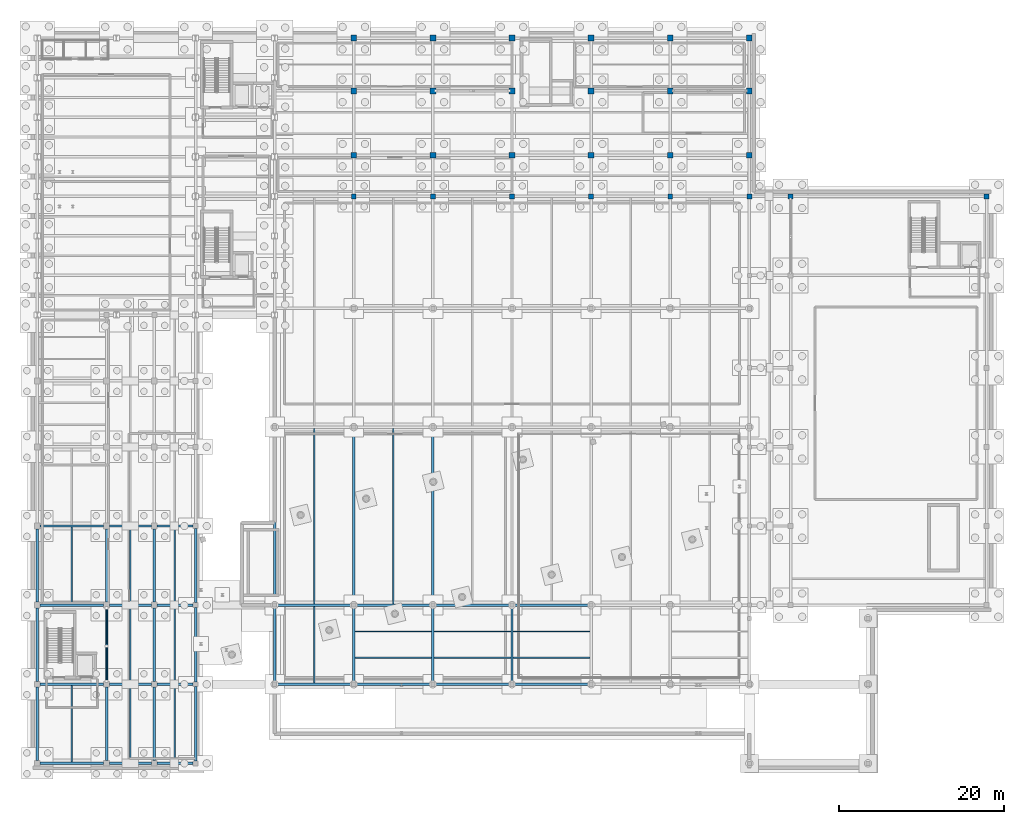
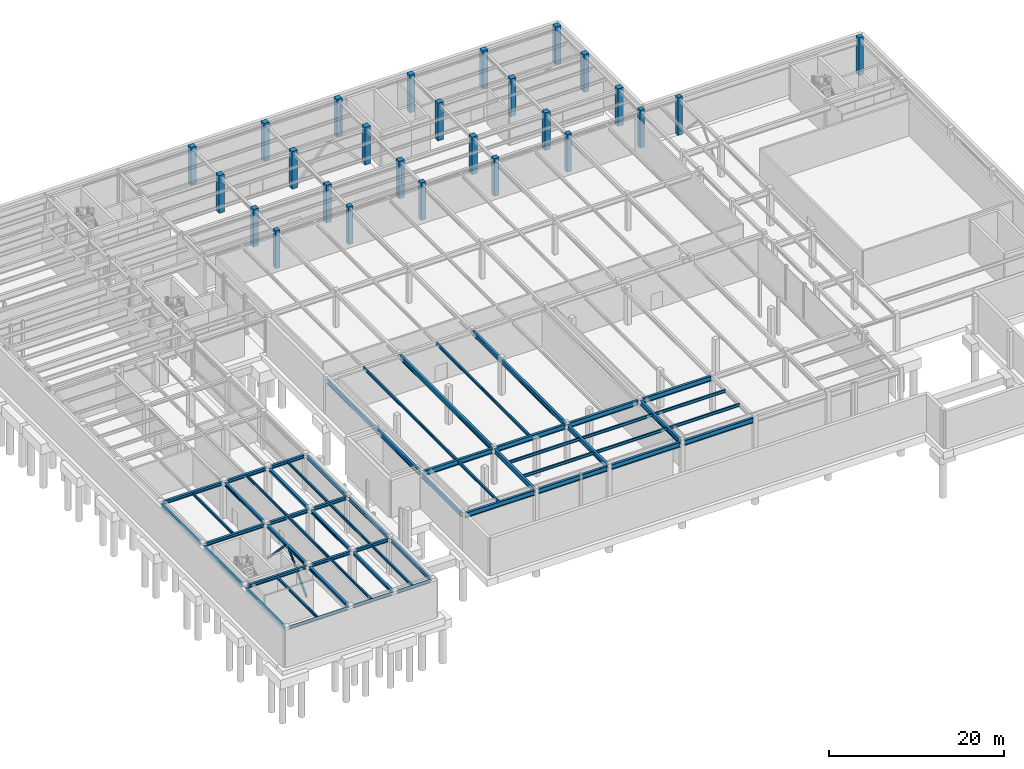
# One storey, part 15 of 33: 56 beams, 26 columns, 2 members.
"""IFC4 building model written with IfcOpenShell, lengths in metres."""

from ifc_helpers import new_model, si_unit, direction, frame, origin, origin_2d, place, context, subcontext, project, spatial, rectangle, hollow_circle, i_section, extrude, material, material_profile, profile_set, type_object, element, save


model = new_model("IFC4")

# Units and contexts
model_context = context("Model", 3, precision=1e-05, world=origin(), true_north=direction((0.0, 1.0)))
body_context = subcontext(model_context, "Body", "Model", "MODEL_VIEW")
ifc_project = project(units=[si_unit("LENGTHUNIT", "METRE"), si_unit("AREAUNIT", "SQUARE_METRE"), si_unit("VOLUMEUNIT", "CUBIC_METRE"), si_unit("PLANEANGLEUNIT", "RADIAN"), si_unit("MASSUNIT", "GRAM", prefix="KILO")], contexts=[model_context])

# Site, building, storey
site_placement = place(None, origin())
site = spatial("IfcSite", under=ifc_project, at=site_placement, CompositionType="ELEMENT")
building_placement = place(site_placement, origin())
building = spatial("IfcBuilding", under=site, at=building_placement, Name="Nordkorset Police Headquarters", CompositionType="ELEMENT")
storey_placement = place(building_placement, frame((0.0, 0.0, -9.800048828125)))
storey = spatial("IfcBuildingStorey", under=building, at=storey_placement, Name="B02", CompositionType="ELEMENT", Elevation=-9.800048828125)

# Columns
ifc_material_1 = material(Name="Concrete C45/55", Category="concrete")
ifc_material_profile_1 = material_profile(ifc_material_1, rectangle(XDim=0.60009765625, YDim=0.60009765625, at=origin_2d()), Name="RC 600x600")
ifc_profile_set_1 = profile_set([ifc_material_profile_1], Name="Concrete C45/55")
column_type_1 = type_object("IfcColumnType", Name="Col_RC_600x600", PredefinedType="COLUMN", material=ifc_profile_set_1)
for number, where, z_axis, x_axis, name in (
    (1, (38.39990234375, 97.60009765625, 0.0), (0.0, 0.0, 1.0), (1.0, 0.0, 0.0), "Structural Column V2_Y0_0 B02"),
    (2, (48.0, 97.60009765625, 0.0), (0.0, 0.0, 1.0), (1.0, 0.0, 0.0), "Structural Column V2_Y0_1 B02"),
    (3, (57.60009765625, 97.60009765625, 0.0), (0.0, 0.0, 1.0), (1.0, 0.0, 0.0), "Structural Column V2_Y0_2 B02"),
    (4, (67.199951171875, 97.60009765625, 0.0), (0.0, 0.0, 1.0), (1.0, 0.0, 0.0), "Structural Column V2_Y0_3 B02"),
    (5, (76.800048828125, 97.60009765625, 0.0), (0.0, 0.0, 1.0), (1.0, 0.0, 0.0), "Structural Column V2_Y0_4 B02"),
    (6, (86.39990234375, 97.60009765625, 0.0), (0.0, 0.0, 1.0), (1.0, 0.0, 0.0), "Structural Column V2_Y0_5 B02"),
    (7, (91.39990234375, 97.60009765625, 0.0), (0.0, 0.0, 1.0), (1.0, 0.0, 0.0), "Structural Column V5_X1_5 B02"),
    (8, (115.199951171875, 97.60009765625, 0.0), (0.0, 0.0, 1.0), (1.0, 0.0, 0.0), "Structural Column V5_X2_5 B02"),
):
    element("IfcColumn", number, at=place(storey_placement, frame(where, z_axis=z_axis, x_axis=x_axis)), inside=storey, type_object=column_type_1, Name=name, PredefinedType="COLUMN", context=body_context, shape_type="SweptSolid", body=[
        extrude(rectangle(XDim=0.60009765625, YDim=0.60009765625, at=origin_2d()), origin(), (0.0, 0.0, 1.0), 5.25),
    ])
ifc_material_2 = material(Name="Concrete C45/55", Category="concrete")
ifc_material_profile_2 = material_profile(ifc_material_2, rectangle(XDim=0.699951171875, YDim=0.699951171875, at=origin_2d()), Name="RC 700x700")
ifc_profile_set_2 = profile_set([ifc_material_profile_2], Name="Concrete C45/55")
column_type_2 = type_object("IfcColumnType", Name="Col_RC_700x700", PredefinedType="COLUMN", material=ifc_profile_set_2)
for number, where, z_axis, x_axis, name in (
    (9, (38.39990234375, 102.60009765625, 0.0), (0.0, 0.0, 1.0), (1.0, 0.0, 0.0), "Structural Column V2_Y1_0 B02"),
    (10, (38.39990234375, 110.39990234375, 0.0), (0.0, 0.0, 1.0), (1.0, 0.0, 0.0), "Structural Column V2_Y2_0 B02"),
    (11, (38.39990234375, 116.800048828125, 0.0), (0.0, 0.0, 1.0), (1.0, 0.0, 0.0), "Structural Column V2_Y3_0 B02"),
    (12, (48.0, 102.60009765625, 0.0), (0.0, 0.0, 1.0), (1.0, 0.0, 0.0), "Structural Column V2_Y1_1 B02"),
    (13, (48.0, 110.39990234375, 0.0), (0.0, 0.0, 1.0), (1.0, 0.0, 0.0), "Structural Column V2_Y2_1 B02"),
    (14, (48.0, 116.800048828125, 0.0), (0.0, 0.0, 1.0), (1.0, 0.0, 0.0), "Structural Column V2_Y3_1 B02"),
    (15, (57.60009765625, 102.60009765625, 0.0), (0.0, 0.0, 1.0), (1.0, 0.0, 0.0), "Structural Column V2_Y1_2 B02"),
    (16, (57.60009765625, 110.39990234375, 0.0), (0.0, 0.0, 1.0), (1.0, 0.0, 0.0), "Structural Column V2_Y2_2 B02"),
    (17, (57.60009765625, 116.800048828125, 0.0), (0.0, 0.0, 1.0), (1.0, 0.0, 0.0), "Structural Column V2_Y3_2 B02"),
    (18, (67.199951171875, 102.60009765625, 0.0), (0.0, 0.0, 1.0), (1.0, 0.0, 0.0), "Structural Column V2_Y1_3 B02"),
    (19, (67.199951171875, 110.39990234375, 0.0), (0.0, 0.0, 1.0), (1.0, 0.0, 0.0), "Structural Column V2_Y2_3 B02"),
    (20, (67.199951171875, 116.800048828125, 0.0), (0.0, 0.0, 1.0), (1.0, 0.0, 0.0), "Structural Column V2_Y3_3 B02"),
    (21, (76.800048828125, 102.60009765625, 0.0), (0.0, 0.0, 1.0), (1.0, 0.0, 0.0), "Structural Column V2_Y1_4 B02"),
    (22, (76.800048828125, 110.39990234375, 0.0), (0.0, 0.0, 1.0), (1.0, 0.0, 0.0), "Structural Column V2_Y2_4 B02"),
    (23, (76.800048828125, 116.800048828125, 0.0), (0.0, 0.0, 1.0), (1.0, 0.0, 0.0), "Structural Column V2_Y3_4 B02"),
    (24, (86.39990234375, 102.60009765625, 0.0), (0.0, 0.0, 1.0), (1.0, 0.0, 0.0), "Structural Column V2_Y1_5 B02"),
    (25, (86.39990234375, 110.39990234375, 0.0), (0.0, 0.0, 1.0), (1.0, 0.0, 0.0), "Structural Column V2_Y2_5 B02"),
    (26, (86.39990234375, 116.800048828125, 0.0), (0.0, 0.0, 1.0), (1.0, 0.0, 0.0), "Structural Column V2_Y3_5 B02"),
):
    element("IfcColumn", number, at=place(storey_placement, frame(where, z_axis=z_axis, x_axis=x_axis)), inside=storey, type_object=column_type_2, Name=name, PredefinedType="COLUMN", context=body_context, shape_type="SweptSolid", body=[
        extrude(rectangle(XDim=0.699951171875, YDim=0.699951171875, at=origin_2d()), origin(), (0.0, 0.0, 1.0), 5.25),
    ])

# Beams
ifc_material_3 = material(Name="Steel S355J2", Category="steel")
ifc_material_profile_3 = material_profile(ifc_material_3, i_section(OverallWidth=0.169921875, OverallDepth=0.360107421875, WebThickness=0.008056640625, FlangeThickness=0.0126953125, FilletRadius=0.01806640625, at=origin_2d()), Name="IPE 360")
ifc_profile_set_3 = profile_set([ifc_material_profile_3], Name="Steel S355J2")
beam_type_1 = type_object("IfcBeamType", Name="Beam_IPE_360", PredefinedType="BEAM", material=ifc_profile_set_3)
for number, where, z_axis, x_axis, name in (
    (27, (4.199951171875, 28.949951171875, 4.7900390625), (0.0, 1.0, 0.0), (-1.0, 0.0, 0.0), "Composite Floor Beam V3 B02 0-0-1"),
    (28, (4.199951171875, 48.14990234375, 4.7900390625), (0.0, 1.0, 0.0), (-1.0, 0.0, 0.0), "Composite Floor Beam V3 B02 0-2-1"),
    (29, (11.300048828125, 28.949951171875, 4.7900390625), (0.0, 1.0, 0.0), (-1.0, 0.0, 0.0), "Composite Floor Beam V3 B02 1-0-1"),
    (30, (11.300048828125, 38.550048828125, 4.7900390625), (0.0, 1.0, 0.0), (-1.0, 0.0, 0.0), "Composite Floor Beam V3 B02 1-1-1"),
    (31, (11.300048828125, 48.14990234375, 4.7900390625), (0.0, 1.0, 0.0), (-1.0, 0.0, 0.0), "Composite Floor Beam V3 B02 1-2-1"),
    (32, (16.699951171875, 28.949951171875, 4.7900390625), (0.0, 1.0, 0.0), (-1.0, 0.0, 0.0), "Composite Floor Beam V3 B02 2-0-1"),
    (33, (16.699951171875, 38.550048828125, 4.7900390625), (0.0, 1.0, 0.0), (-1.0, 0.0, 0.0), "Composite Floor Beam V3 B02 2-1-1"),
    (34, (16.699951171875, 48.14990234375, 4.7900390625), (0.0, 1.0, 0.0), (-1.0, 0.0, 0.0), "Composite Floor Beam V3 B02 2-2-1"),
):
    element("IfcBeam", number, at=place(storey_placement, frame(where, z_axis=z_axis, x_axis=x_axis)), inside=storey, type_object=beam_type_1, Name=name, PredefinedType="BEAM", context=body_context, shape_type="SweptSolid", body=[
        extrude(i_section(OverallWidth=0.169921875, OverallDepth=0.360107421875, WebThickness=0.008056640625, FlangeThickness=0.0126953125, FilletRadius=0.01806640625, at=origin_2d()), origin(), (0.0, 0.0, 1.0), 9.300048828125),
    ])
ifc_material_4 = material(Name="Steel S355J2", Category="steel")
ifc_material_profile_4 = material_profile(ifc_material_4, i_section(OverallWidth=0.179931640625, OverallDepth=0.39990234375, WebThickness=0.008544921875, FlangeThickness=0.013427734375, FilletRadius=0.02099609375, at=origin_2d()), Name="IPE 400")
ifc_profile_set_4 = profile_set([ifc_material_profile_4], Name="Steel S355J2")
beam_type_2 = type_object("IfcBeamType", Name="Beam_IPE_400", PredefinedType="BEAM", material=ifc_profile_set_4)
beam_1_placement = place(storey_placement, frame((33.60009765625, 38.550048828125, 4.77001953125), z_axis=(0.0, 1.0, 0.0), x_axis=(-1.0, 0.0, 0.0)))
element("IfcBeam", 35, at=beam_1_placement, inside=storey, type_object=beam_type_2, Name="Composite Floor Beam SUB B02 0-0-1", PredefinedType="BEAM", context=body_context, shape_type="SweptSolid", body=[
    extrude(i_section(OverallWidth=0.179931640625, OverallDepth=0.39990234375, WebThickness=0.008544921875, FlangeThickness=0.013427734375, FilletRadius=0.02099609375, at=origin_2d()), origin(), (0.0, 0.0, 1.0), 9.300048828125),
])
beam_2_placement = place(storey_placement, frame((33.60009765625, 48.14990234375, 4.77001953125), z_axis=(0.0, 1.0, 0.0), x_axis=(-1.0, 0.0, 0.0)))
element("IfcBeam", 36, at=beam_2_placement, inside=storey, type_object=beam_type_2, Name="Composite Floor Beam SUB B02 0-1-1", PredefinedType="BEAM", context=body_context, shape_type="SweptSolid", body=[
    extrude(i_section(OverallWidth=0.179931640625, OverallDepth=0.39990234375, WebThickness=0.008544921875, FlangeThickness=0.013427734375, FilletRadius=0.02099609375, at=origin_2d()), origin(), (0.0, 0.0, 1.0), 21.300048828125),
])
for number, where, z_axis, x_axis, name in (
    (37, (38.550048828125, 41.60009765625, 4.77001953125), (1.0, 0.0, 0.0), (0.0, 1.0, 0.0), "Composite Floor Beam SUB B02 1-0-1"),
    (38, (38.550048828125, 44.800048828125, 4.77001953125), (1.0, 0.0, 0.0), (0.0, 1.0, 0.0), "Composite Floor Beam SUB B02 1-0-2"),
):
    element("IfcBeam", number, at=place(storey_placement, frame(where, z_axis=z_axis, x_axis=x_axis)), inside=storey, type_object=beam_type_2, Name=name, PredefinedType="BEAM", context=body_context, shape_type="SweptSolid", body=[
        extrude(i_section(OverallWidth=0.179931640625, OverallDepth=0.39990234375, WebThickness=0.008544921875, FlangeThickness=0.013427734375, FilletRadius=0.02099609375, at=origin_2d()), origin(), (0.0, 0.0, 1.0), 9.300048828125),
    ])
beam_3_placement = place(storey_placement, frame((43.199951171875, 48.14990234375, 4.77001953125), z_axis=(0.0, 1.0, 0.0), x_axis=(-1.0, 0.0, 0.0)))
element("IfcBeam", 39, at=beam_3_placement, inside=storey, type_object=beam_type_2, Name="Composite Floor Beam SUB B02 1-1-1", PredefinedType="BEAM", context=body_context, shape_type="SweptSolid", body=[
    extrude(i_section(OverallWidth=0.179931640625, OverallDepth=0.39990234375, WebThickness=0.008544921875, FlangeThickness=0.013427734375, FilletRadius=0.02099609375, at=origin_2d()), origin(), (0.0, 0.0, 1.0), 21.300048828125),
])
for number, where, z_axis, x_axis, name in (
    (40, (48.14990234375, 41.60009765625, 4.77001953125), (1.0, 0.0, 0.0), (0.0, 1.0, 0.0), "Composite Floor Beam SUB B02 2-0-1"),
    (41, (48.14990234375, 44.800048828125, 4.77001953125), (1.0, 0.0, 0.0), (0.0, 1.0, 0.0), "Composite Floor Beam SUB B02 2-0-2"),
    (42, (57.75, 41.60009765625, 4.77001953125), (1.0, 0.0, 0.0), (0.0, 1.0, 0.0), "Composite Floor Beam SUB B02 3-0-1"),
    (43, (57.75, 44.800048828125, 4.77001953125), (1.0, 0.0, 0.0), (0.0, 1.0, 0.0), "Composite Floor Beam SUB B02 3-0-2"),
):
    element("IfcBeam", number, at=place(storey_placement, frame(where, z_axis=z_axis, x_axis=x_axis)), inside=storey, type_object=beam_type_2, Name=name, PredefinedType="BEAM", context=body_context, shape_type="SweptSolid", body=[
        extrude(i_section(OverallWidth=0.179931640625, OverallDepth=0.39990234375, WebThickness=0.008544921875, FlangeThickness=0.013427734375, FilletRadius=0.02099609375, at=origin_2d()), origin(), (0.0, 0.0, 1.0), 9.300048828125),
    ])

# Members
ifc_material_5 = material(Name="Steel S355J2", Category="steel")
ifc_material_profile_5 = material_profile(ifc_material_5, hollow_circle(Radius=0.136474609375, WallThickness=0.012451171875, at=origin_2d()), Name="CHS 273x12.5")
ifc_profile_set_5 = profile_set([ifc_material_profile_5], Name="Steel S355J2")
member_type = type_object("IfcMemberType", Name="Brace_CHS_273x12.5", PredefinedType="BRACE", material=ifc_profile_set_5)
for number, where, z_axis, x_axis, name in (
    (44, (8.39990234375, 38.75, 0.199951171875), (0.0, 0.684311963758, 0.729189369271), (-1.0, 0.0, 0.0), "Lateral Chevron Brace BF-V3-A B02 D1"),
    (45, (8.39990234375, 47.64990234375, 0.199951171875), (0.0, -0.684311963758, 0.729189369271), (1.0, 0.0, 0.0), "Lateral Chevron Brace BF-V3-A B02 D2"),
):
    element("IfcMember", number, at=place(storey_placement, frame(where, z_axis=z_axis, x_axis=x_axis)), inside=storey, type_object=member_type, Name=name, PredefinedType="BRACE", context=body_context, shape_type="SweptSolid", body=[
        extrude(hollow_circle(Radius=0.136474609375, WallThickness=0.012451171875, at=origin_2d()), origin(), (0.0, 0.0, 1.0), 6.239990234375),
    ])

# Beams
ifc_material_6 = material(Name="Steel S355J2", Category="steel")
ifc_material_profile_6 = material_profile(ifc_material_6, i_section(OverallWidth=0.300048828125, OverallDepth=0.43994140625, WebThickness=0.011474609375, FlangeThickness=0.02099609375, FilletRadius=0.027099609375, at=origin_2d()), Name="HEA 450")
ifc_profile_set_6 = profile_set([ifc_material_profile_6], Name="Steel S355J2")
beam_type_3 = type_object("IfcBeamType", Name="Girder_HEA_450", PredefinedType="USERDEFINED", material=ifc_profile_set_6)
beam_4_placement = place(storey_placement, frame((0.35009765625, 38.39990234375, 4.75), z_axis=(1.0, 0.0, 0.0), x_axis=(0.0, 1.0, 0.0)))
element("IfcBeam", 46, at=beam_4_placement, inside=storey, type_object=beam_type_3, Name="Girder V3 B02 GX-1-0", ObjectType="GIRDER", PredefinedType="USERDEFINED", context=body_context, shape_type="SweptSolid", body=[
    extrude(i_section(OverallWidth=0.300048828125, OverallDepth=0.43994140625, WebThickness=0.011474609375, FlangeThickness=0.02099609375, FilletRadius=0.027099609375, at=origin_2d()), origin(), (0.0, 0.0, 1.0), 7.699951171875),
])
beam_5_placement = place(storey_placement, frame((8.75, 38.39990234375, 4.75), z_axis=(1.0, 0.0, 0.0), x_axis=(0.0, 1.0, 0.0)))
element("IfcBeam", 47, at=beam_5_placement, inside=storey, type_object=beam_type_3, Name="Girder V3 B02 GX-1-1", ObjectType="GIRDER", PredefinedType="USERDEFINED", context=body_context, shape_type="SweptSolid", body=[
    extrude(i_section(OverallWidth=0.300048828125, OverallDepth=0.43994140625, WebThickness=0.011474609375, FlangeThickness=0.02099609375, FilletRadius=0.027099609375, at=origin_2d()), origin(), (0.0, 0.0, 1.0), 5.10009765625),
])
beam_6_placement = place(storey_placement, frame((14.550048828125, 38.39990234375, 4.75), z_axis=(1.0, 0.0, 0.0), x_axis=(0.0, 1.0, 0.0)))
element("IfcBeam", 48, at=beam_6_placement, inside=storey, type_object=beam_type_3, Name="Girder V3 B02 GX-1-2", ObjectType="GIRDER", PredefinedType="USERDEFINED", context=body_context, shape_type="SweptSolid", body=[
    extrude(i_section(OverallWidth=0.300048828125, OverallDepth=0.43994140625, WebThickness=0.011474609375, FlangeThickness=0.02099609375, FilletRadius=0.027099609375, at=origin_2d()), origin(), (0.0, 0.0, 1.0), 4.349853515625),
])
beam_7_placement = place(storey_placement, frame((0.35009765625, 48.0, 4.75), z_axis=(1.0, 0.0, 0.0), x_axis=(0.0, 1.0, 0.0)))
element("IfcBeam", 49, at=beam_7_placement, inside=storey, type_object=beam_type_3, Name="Girder V3 B02 GX-2-0", ObjectType="GIRDER", PredefinedType="USERDEFINED", context=body_context, shape_type="SweptSolid", body=[
    extrude(i_section(OverallWidth=0.300048828125, OverallDepth=0.43994140625, WebThickness=0.011474609375, FlangeThickness=0.02099609375, FilletRadius=0.027099609375, at=origin_2d()), origin(), (0.0, 0.0, 1.0), 7.699951171875),
])
beam_8_placement = place(storey_placement, frame((8.75, 48.0, 4.75), z_axis=(1.0, 0.0, 0.0), x_axis=(0.0, 1.0, 0.0)))
element("IfcBeam", 50, at=beam_8_placement, inside=storey, type_object=beam_type_3, Name="Girder V3 B02 GX-2-1", ObjectType="GIRDER", PredefinedType="USERDEFINED", context=body_context, shape_type="SweptSolid", body=[
    extrude(i_section(OverallWidth=0.300048828125, OverallDepth=0.43994140625, WebThickness=0.011474609375, FlangeThickness=0.02099609375, FilletRadius=0.027099609375, at=origin_2d()), origin(), (0.0, 0.0, 1.0), 5.10009765625),
])
beam_9_placement = place(storey_placement, frame((14.550048828125, 48.0, 4.75), z_axis=(1.0, 0.0, 0.0), x_axis=(0.0, 1.0, 0.0)))
element("IfcBeam", 51, at=beam_9_placement, inside=storey, type_object=beam_type_3, Name="Girder V3 B02 GX-2-2", ObjectType="GIRDER", PredefinedType="USERDEFINED", context=body_context, shape_type="SweptSolid", body=[
    extrude(i_section(OverallWidth=0.300048828125, OverallDepth=0.43994140625, WebThickness=0.011474609375, FlangeThickness=0.02099609375, FilletRadius=0.027099609375, at=origin_2d()), origin(), (0.0, 0.0, 1.0), 4.349853515625),
])
beam_10_placement = place(storey_placement, frame((0.35009765625, 57.60009765625, 4.75), z_axis=(1.0, 0.0, 0.0), x_axis=(0.0, 1.0, 0.0)))
element("IfcBeam", 52, at=beam_10_placement, inside=storey, type_object=beam_type_3, Name="Girder V3 B02 GX-3-0", ObjectType="GIRDER", PredefinedType="USERDEFINED", context=body_context, shape_type="SweptSolid", body=[
    extrude(i_section(OverallWidth=0.300048828125, OverallDepth=0.43994140625, WebThickness=0.011474609375, FlangeThickness=0.02099609375, FilletRadius=0.027099609375, at=origin_2d()), origin(), (0.0, 0.0, 1.0), 7.699951171875),
])
beam_11_placement = place(storey_placement, frame((8.75, 57.60009765625, 4.75), z_axis=(1.0, 0.0, 0.0), x_axis=(0.0, 1.0, 0.0)))
element("IfcBeam", 53, at=beam_11_placement, inside=storey, type_object=beam_type_3, Name="Girder V3 B02 GX-3-1", ObjectType="GIRDER", PredefinedType="USERDEFINED", context=body_context, shape_type="SweptSolid", body=[
    extrude(i_section(OverallWidth=0.300048828125, OverallDepth=0.43994140625, WebThickness=0.011474609375, FlangeThickness=0.02099609375, FilletRadius=0.027099609375, at=origin_2d()), origin(), (0.0, 0.0, 1.0), 5.10009765625),
])
beam_12_placement = place(storey_placement, frame((14.550048828125, 57.60009765625, 4.75), z_axis=(1.0, 0.0, 0.0), x_axis=(0.0, 1.0, 0.0)))
element("IfcBeam", 54, at=beam_12_placement, inside=storey, type_object=beam_type_3, Name="Girder V3 B02 GX-3-2", ObjectType="GIRDER", PredefinedType="USERDEFINED", context=body_context, shape_type="SweptSolid", body=[
    extrude(i_section(OverallWidth=0.300048828125, OverallDepth=0.43994140625, WebThickness=0.011474609375, FlangeThickness=0.02099609375, FilletRadius=0.027099609375, at=origin_2d()), origin(), (0.0, 0.0, 1.0), 4.349853515625),
])
beam_13_placement = place(storey_placement, frame((0.0, 29.14990234375, 4.75), z_axis=(0.0, 1.0, 0.0), x_axis=(-1.0, 0.0, 0.0)))
element("IfcBeam", 55, at=beam_13_placement, inside=storey, type_object=beam_type_3, Name="Girder V3 B02 GY-0-0", ObjectType="GIRDER", PredefinedType="USERDEFINED", context=body_context, shape_type="SweptSolid", body=[
    extrude(i_section(OverallWidth=0.300048828125, OverallDepth=0.43994140625, WebThickness=0.011474609375, FlangeThickness=0.02099609375, FilletRadius=0.027099609375, at=origin_2d()), origin(), (0.0, 0.0, 1.0), 8.900146484375),
])
for number, where, z_axis, x_axis, name in (
    (56, (0.0, 38.75, 4.75), (0.0, 1.0, 0.0), (-1.0, 0.0, 0.0), "Girder V3 B02 GY-0-1"),
    (57, (0.0, 48.35009765625, 4.75), (0.0, 1.0, 0.0), (-1.0, 0.0, 0.0), "Girder V3 B02 GY-0-2"),
):
    element("IfcBeam", number, at=place(storey_placement, frame(where, z_axis=z_axis, x_axis=x_axis)), inside=storey, type_object=beam_type_3, Name=name, ObjectType="GIRDER", PredefinedType="USERDEFINED", context=body_context, shape_type="SweptSolid", body=[
        extrude(i_section(OverallWidth=0.300048828125, OverallDepth=0.43994140625, WebThickness=0.011474609375, FlangeThickness=0.02099609375, FilletRadius=0.027099609375, at=origin_2d()), origin(), (0.0, 0.0, 1.0), 8.89990234375),
    ])
beam_14_placement = place(storey_placement, frame((8.39990234375, 29.14990234375, 4.75), z_axis=(0.0, 1.0, 0.0), x_axis=(-1.0, 0.0, 0.0)))
element("IfcBeam", 58, at=beam_14_placement, inside=storey, type_object=beam_type_3, Name="Girder V3 B02 GY-1-0", ObjectType="GIRDER", PredefinedType="USERDEFINED", context=body_context, shape_type="SweptSolid", body=[
    extrude(i_section(OverallWidth=0.300048828125, OverallDepth=0.43994140625, WebThickness=0.011474609375, FlangeThickness=0.02099609375, FilletRadius=0.027099609375, at=origin_2d()), origin(), (0.0, 0.0, 1.0), 8.900146484375),
])
for number, where, z_axis, x_axis, name in (
    (59, (8.39990234375, 38.75, 4.75), (0.0, 1.0, 0.0), (-1.0, 0.0, 0.0), "Girder V3 B02 GY-1-1"),
    (60, (8.39990234375, 48.35009765625, 4.75), (0.0, 1.0, 0.0), (-1.0, 0.0, 0.0), "Girder V3 B02 GY-1-2"),
):
    element("IfcBeam", number, at=place(storey_placement, frame(where, z_axis=z_axis, x_axis=x_axis)), inside=storey, type_object=beam_type_3, Name=name, ObjectType="GIRDER", PredefinedType="USERDEFINED", context=body_context, shape_type="SweptSolid", body=[
        extrude(i_section(OverallWidth=0.300048828125, OverallDepth=0.43994140625, WebThickness=0.011474609375, FlangeThickness=0.02099609375, FilletRadius=0.027099609375, at=origin_2d()), origin(), (0.0, 0.0, 1.0), 8.89990234375),
    ])
beam_15_placement = place(storey_placement, frame((14.199951171875, 29.14990234375, 4.75), z_axis=(0.0, 1.0, 0.0), x_axis=(-1.0, 0.0, 0.0)))
element("IfcBeam", 61, at=beam_15_placement, inside=storey, type_object=beam_type_3, Name="Girder V3 B02 GY-2-0", ObjectType="GIRDER", PredefinedType="USERDEFINED", context=body_context, shape_type="SweptSolid", body=[
    extrude(i_section(OverallWidth=0.300048828125, OverallDepth=0.43994140625, WebThickness=0.011474609375, FlangeThickness=0.02099609375, FilletRadius=0.027099609375, at=origin_2d()), origin(), (0.0, 0.0, 1.0), 8.900146484375),
])
for number, where, z_axis, x_axis, name in (
    (62, (14.199951171875, 38.75, 4.75), (0.0, 1.0, 0.0), (-1.0, 0.0, 0.0), "Girder V3 B02 GY-2-1"),
    (63, (14.199951171875, 48.35009765625, 4.75), (0.0, 1.0, 0.0), (-1.0, 0.0, 0.0), "Girder V3 B02 GY-2-2"),
):
    element("IfcBeam", number, at=place(storey_placement, frame(where, z_axis=z_axis, x_axis=x_axis)), inside=storey, type_object=beam_type_3, Name=name, ObjectType="GIRDER", PredefinedType="USERDEFINED", context=body_context, shape_type="SweptSolid", body=[
        extrude(i_section(OverallWidth=0.300048828125, OverallDepth=0.43994140625, WebThickness=0.011474609375, FlangeThickness=0.02099609375, FilletRadius=0.027099609375, at=origin_2d()), origin(), (0.0, 0.0, 1.0), 8.89990234375),
    ])
for number, where, z_axis, x_axis, name in (
    (64, (19.199951171875, 29.10009765625, 4.75), (0.0, 1.0, 0.0), (-1.0, 0.0, 0.0), "Girder V3 B02 GY-3-0"),
    (65, (19.199951171875, 38.699951171875, 4.75), (0.0, 1.0, 0.0), (-1.0, 0.0, 0.0), "Girder V3 B02 GY-3-1"),
    (66, (19.199951171875, 48.300048828125, 4.75), (0.0, 1.0, 0.0), (-1.0, 0.0, 0.0), "Girder V3 B02 GY-3-2"),
):
    element("IfcBeam", number, at=place(storey_placement, frame(where, z_axis=z_axis, x_axis=x_axis)), inside=storey, type_object=beam_type_3, Name=name, ObjectType="GIRDER", PredefinedType="USERDEFINED", context=body_context, shape_type="SweptSolid", body=[
        extrude(i_section(OverallWidth=0.300048828125, OverallDepth=0.43994140625, WebThickness=0.011474609375, FlangeThickness=0.02099609375, FilletRadius=0.027099609375, at=origin_2d()), origin(), (0.0, 0.0, 1.0), 9.0),
    ])
ifc_material_7 = material(Name="Steel S355J2", Category="steel")
ifc_material_profile_7 = material_profile(ifc_material_7, i_section(OverallWidth=0.300048828125, OverallDepth=0.64990234375, WebThickness=0.01611328125, FlangeThickness=0.031005859375, FilletRadius=0.027099609375, at=origin_2d()), Name="HEB 650")
ifc_profile_set_7 = profile_set([ifc_material_profile_7], Name="Steel S355J2")
beam_type_4 = type_object("IfcBeamType", Name="Girder_HEB_650", PredefinedType="USERDEFINED", material=ifc_profile_set_7)
beam_16_placement = place(storey_placement, frame((28.800048828125, 38.64990234375, 4.64501953125), z_axis=(0.0, 1.0, 0.0), x_axis=(-1.0, 0.0, 0.0)))
element("IfcBeam", 67, at=beam_16_placement, inside=storey, type_object=beam_type_4, Name="Girder SUB B02 GY-0-0", ObjectType="GIRDER", PredefinedType="USERDEFINED", context=body_context, shape_type="SweptSolid", body=[
    extrude(i_section(OverallWidth=0.300048828125, OverallDepth=0.64990234375, WebThickness=0.01611328125, FlangeThickness=0.031005859375, FilletRadius=0.027099609375, at=origin_2d()), origin(), (0.0, 0.0, 1.0), 9.10009765625),
])
beam_17_placement = place(storey_placement, frame((28.800048828125, 48.25, 4.64501953125), z_axis=(0.0, 1.0, 0.0), x_axis=(-1.0, 0.0, 0.0)))
element("IfcBeam", 68, at=beam_17_placement, inside=storey, type_object=beam_type_4, Name="Girder SUB B02 GY-0-1", ObjectType="GIRDER", PredefinedType="USERDEFINED", context=body_context, shape_type="SweptSolid", body=[
    extrude(i_section(OverallWidth=0.300048828125, OverallDepth=0.64990234375, WebThickness=0.01611328125, FlangeThickness=0.031005859375, FilletRadius=0.027099609375, at=origin_2d()), origin(), (0.0, 0.0, 1.0), 21.10009765625),
])
beam_18_placement = place(storey_placement, frame((38.39990234375, 38.64990234375, 4.64501953125), z_axis=(0.0, 1.0, 0.0), x_axis=(-1.0, 0.0, 0.0)))
element("IfcBeam", 69, at=beam_18_placement, inside=storey, type_object=beam_type_4, Name="Girder SUB B02 GY-1-0", ObjectType="GIRDER", PredefinedType="USERDEFINED", context=body_context, shape_type="SweptSolid", body=[
    extrude(i_section(OverallWidth=0.300048828125, OverallDepth=0.64990234375, WebThickness=0.01611328125, FlangeThickness=0.031005859375, FilletRadius=0.027099609375, at=origin_2d()), origin(), (0.0, 0.0, 1.0), 9.10009765625),
])
beam_19_placement = place(storey_placement, frame((38.39990234375, 48.25, 4.64501953125), z_axis=(0.0, 1.0, 0.0), x_axis=(-1.0, 0.0, 0.0)))
element("IfcBeam", 70, at=beam_19_placement, inside=storey, type_object=beam_type_4, Name="Girder SUB B02 GY-1-1", ObjectType="GIRDER", PredefinedType="USERDEFINED", context=body_context, shape_type="SweptSolid", body=[
    extrude(i_section(OverallWidth=0.300048828125, OverallDepth=0.64990234375, WebThickness=0.01611328125, FlangeThickness=0.031005859375, FilletRadius=0.027099609375, at=origin_2d()), origin(), (0.0, 0.0, 1.0), 21.10009765625),
])
beam_20_placement = place(storey_placement, frame((48.0, 38.64990234375, 4.64501953125), z_axis=(0.0, 1.0, 0.0), x_axis=(-1.0, 0.0, 0.0)))
element("IfcBeam", 71, at=beam_20_placement, inside=storey, type_object=beam_type_4, Name="Girder SUB B02 GY-2-0", ObjectType="GIRDER", PredefinedType="USERDEFINED", context=body_context, shape_type="SweptSolid", body=[
    extrude(i_section(OverallWidth=0.300048828125, OverallDepth=0.64990234375, WebThickness=0.01611328125, FlangeThickness=0.031005859375, FilletRadius=0.027099609375, at=origin_2d()), origin(), (0.0, 0.0, 1.0), 9.10009765625),
])
beam_21_placement = place(storey_placement, frame((48.0, 48.25, 4.64501953125), z_axis=(0.0, 1.0, 0.0), x_axis=(-1.0, 0.0, 0.0)))
element("IfcBeam", 72, at=beam_21_placement, inside=storey, type_object=beam_type_4, Name="Girder SUB B02 GY-2-1", ObjectType="GIRDER", PredefinedType="USERDEFINED", context=body_context, shape_type="SweptSolid", body=[
    extrude(i_section(OverallWidth=0.300048828125, OverallDepth=0.64990234375, WebThickness=0.01611328125, FlangeThickness=0.031005859375, FilletRadius=0.027099609375, at=origin_2d()), origin(), (0.0, 0.0, 1.0), 21.10009765625),
])
beam_22_placement = place(storey_placement, frame((57.60009765625, 38.64990234375, 4.64501953125), z_axis=(0.0, 1.0, 0.0), x_axis=(-1.0, 0.0, 0.0)))
element("IfcBeam", 73, at=beam_22_placement, inside=storey, type_object=beam_type_4, Name="Girder SUB B02 GY-3-0", ObjectType="GIRDER", PredefinedType="USERDEFINED", context=body_context, shape_type="SweptSolid", body=[
    extrude(i_section(OverallWidth=0.300048828125, OverallDepth=0.64990234375, WebThickness=0.01611328125, FlangeThickness=0.031005859375, FilletRadius=0.027099609375, at=origin_2d()), origin(), (0.0, 0.0, 1.0), 9.10009765625),
])
ifc_material_8 = material(Name="Steel S355J2", Category="steel")
ifc_material_profile_8 = material_profile(ifc_material_8, i_section(OverallWidth=0.300048828125, OverallDepth=0.699951171875, WebThickness=0.01708984375, FlangeThickness=0.031982421875, FilletRadius=0.027099609375, at=origin_2d()), Name="HEB 700")
ifc_profile_set_8 = profile_set([ifc_material_profile_8], Name="Steel S355J2")
beam_type_5 = type_object("IfcBeamType", Name="Girder_HEB_700", PredefinedType="USERDEFINED", material=ifc_profile_set_8)
beam_23_placement = place(storey_placement, frame((29.050048828125, 38.39990234375, 4.6201171875), z_axis=(1.0, 0.0, 0.0), x_axis=(0.0, 1.0, 0.0)))
element("IfcBeam", 74, at=beam_23_placement, inside=storey, type_object=beam_type_5, Name="Girder SUB B02 GX-0-0", ObjectType="GIRDER", PredefinedType="USERDEFINED", context=body_context, shape_type="SweptSolid", body=[
    extrude(i_section(OverallWidth=0.300048828125, OverallDepth=0.699951171875, WebThickness=0.01708984375, FlangeThickness=0.031982421875, FilletRadius=0.027099609375, at=origin_2d()), origin(), (0.0, 0.0, 1.0), 9.099853515625),
])
for number, where, z_axis, x_axis, name in (
    (75, (38.64990234375, 38.39990234375, 4.6201171875), (1.0, 0.0, 0.0), (0.0, 1.0, 0.0), "Girder SUB B02 GX-0-1"),
    (76, (48.25, 38.39990234375, 4.6201171875), (1.0, 0.0, 0.0), (0.0, 1.0, 0.0), "Girder SUB B02 GX-0-2"),
):
    element("IfcBeam", number, at=place(storey_placement, frame(where, z_axis=z_axis, x_axis=x_axis)), inside=storey, type_object=beam_type_5, Name=name, ObjectType="GIRDER", PredefinedType="USERDEFINED", context=body_context, shape_type="SweptSolid", body=[
        extrude(i_section(OverallWidth=0.300048828125, OverallDepth=0.699951171875, WebThickness=0.01708984375, FlangeThickness=0.031982421875, FilletRadius=0.027099609375, at=origin_2d()), origin(), (0.0, 0.0, 1.0), 9.10009765625),
    ])
for number, where, z_axis, x_axis, name in (
    (77, (57.85009765625, 38.39990234375, 4.6201171875), (1.0, 0.0, 0.0), (0.0, 1.0, 0.0), "Girder SUB B02 GX-0-3"),
    (78, (29.050048828125, 48.0, 4.6201171875), (1.0, 0.0, 0.0), (0.0, 1.0, 0.0), "Girder SUB B02 GX-1-0"),
):
    element("IfcBeam", number, at=place(storey_placement, frame(where, z_axis=z_axis, x_axis=x_axis)), inside=storey, type_object=beam_type_5, Name=name, ObjectType="GIRDER", PredefinedType="USERDEFINED", context=body_context, shape_type="SweptSolid", body=[
        extrude(i_section(OverallWidth=0.300048828125, OverallDepth=0.699951171875, WebThickness=0.01708984375, FlangeThickness=0.031982421875, FilletRadius=0.027099609375, at=origin_2d()), origin(), (0.0, 0.0, 1.0), 9.099853515625),
    ])
for number, where, z_axis, x_axis, name in (
    (79, (38.64990234375, 48.0, 4.6201171875), (1.0, 0.0, 0.0), (0.0, 1.0, 0.0), "Girder SUB B02 GX-1-1"),
    (80, (48.25, 48.0, 4.6201171875), (1.0, 0.0, 0.0), (0.0, 1.0, 0.0), "Girder SUB B02 GX-1-2"),
):
    element("IfcBeam", number, at=place(storey_placement, frame(where, z_axis=z_axis, x_axis=x_axis)), inside=storey, type_object=beam_type_5, Name=name, ObjectType="GIRDER", PredefinedType="USERDEFINED", context=body_context, shape_type="SweptSolid", body=[
        extrude(i_section(OverallWidth=0.300048828125, OverallDepth=0.699951171875, WebThickness=0.01708984375, FlangeThickness=0.031982421875, FilletRadius=0.027099609375, at=origin_2d()), origin(), (0.0, 0.0, 1.0), 9.10009765625),
    ])
beam_24_placement = place(storey_placement, frame((57.85009765625, 48.0, 4.6201171875), z_axis=(1.0, 0.0, 0.0), x_axis=(0.0, 1.0, 0.0)))
element("IfcBeam", 81, at=beam_24_placement, inside=storey, type_object=beam_type_5, Name="Girder SUB B02 GX-1-3", ObjectType="GIRDER", PredefinedType="USERDEFINED", context=body_context, shape_type="SweptSolid", body=[
    extrude(i_section(OverallWidth=0.300048828125, OverallDepth=0.699951171875, WebThickness=0.01708984375, FlangeThickness=0.031982421875, FilletRadius=0.027099609375, at=origin_2d()), origin(), (0.0, 0.0, 1.0), 9.099853515625),
])
ifc_material_9 = material(Name="Steel S355J2", Category="steel")
ifc_material_profile_9 = material_profile(ifc_material_9, i_section(OverallWidth=0.300048828125, OverallDepth=0.31005859375, WebThickness=0.009033203125, FlangeThickness=0.015380859375, FilletRadius=0.027099609375, at=origin_2d()), Name="HEA 320")
ifc_profile_set_9 = profile_set([ifc_material_profile_9], Name="Steel S355J2")
beam_type_6 = type_object("IfcBeamType", Name="Spandrel_HEA_320", PredefinedType="SPANDREL", material=ifc_profile_set_9)
beam_25_placement = place(storey_placement, frame((0.35009765625, 28.800048828125, 4.81494140625), z_axis=(1.0, 0.0, 0.0), x_axis=(0.0, 1.0, 0.0)))
element("IfcBeam", 82, at=beam_25_placement, inside=storey, type_object=beam_type_6, Name="Girder V3 B02 GX-0-0", PredefinedType="SPANDREL", context=body_context, shape_type="SweptSolid", body=[
    extrude(i_section(OverallWidth=0.300048828125, OverallDepth=0.31005859375, WebThickness=0.009033203125, FlangeThickness=0.015380859375, FilletRadius=0.027099609375, at=origin_2d()), origin(), (0.0, 0.0, 1.0), 7.699951171875),
])
beam_26_placement = place(storey_placement, frame((8.75, 28.800048828125, 4.81494140625), z_axis=(1.0, 0.0, 0.0), x_axis=(0.0, 1.0, 0.0)))
element("IfcBeam", 83, at=beam_26_placement, inside=storey, type_object=beam_type_6, Name="Girder V3 B02 GX-0-1", PredefinedType="SPANDREL", context=body_context, shape_type="SweptSolid", body=[
    extrude(i_section(OverallWidth=0.300048828125, OverallDepth=0.31005859375, WebThickness=0.009033203125, FlangeThickness=0.015380859375, FilletRadius=0.027099609375, at=origin_2d()), origin(), (0.0, 0.0, 1.0), 5.10009765625),
])
beam_27_placement = place(storey_placement, frame((14.550048828125, 28.800048828125, 4.81494140625), z_axis=(1.0, 0.0, 0.0), x_axis=(0.0, 1.0, 0.0)))
element("IfcBeam", 84, at=beam_27_placement, inside=storey, type_object=beam_type_6, Name="Girder V3 B02 GX-0-2", PredefinedType="SPANDREL", context=body_context, shape_type="SweptSolid", body=[
    extrude(i_section(OverallWidth=0.300048828125, OverallDepth=0.31005859375, WebThickness=0.009033203125, FlangeThickness=0.015380859375, FilletRadius=0.027099609375, at=origin_2d()), origin(), (0.0, 0.0, 1.0), 4.349853515625),
])

save(model, "model.ifc")
